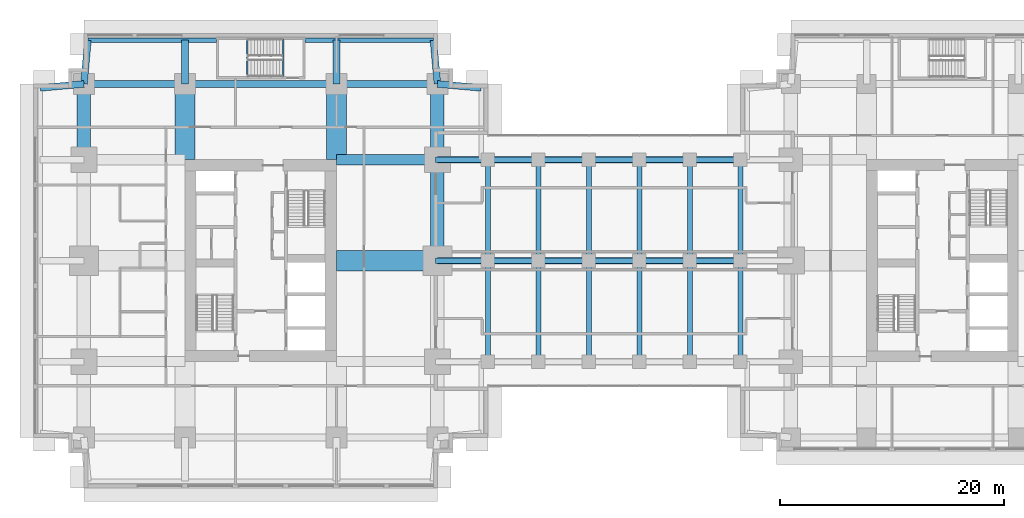
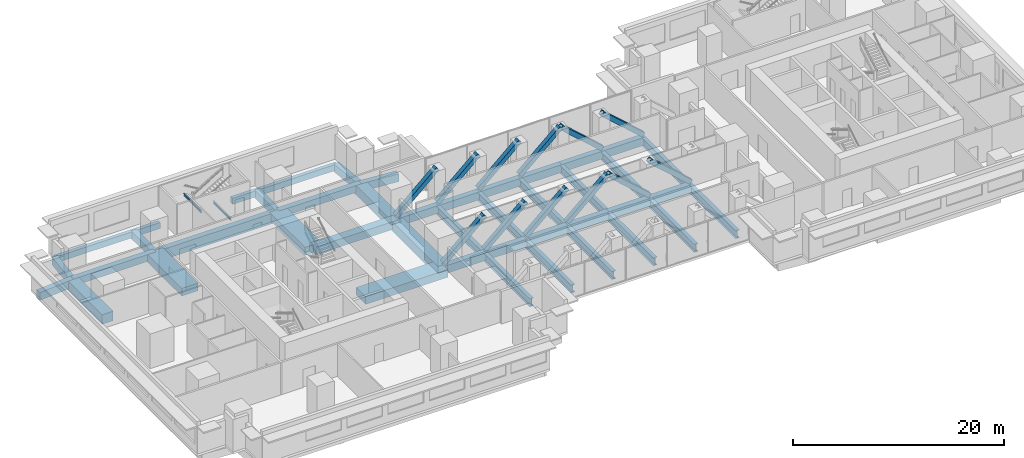
# One storey, part 3 of 16: 44 beams, 12 members.
"""IFC4 building model written with IfcOpenShell, lengths in metres."""

from ifc_helpers import new_model, si_unit, direction, frame, origin, origin_2d, place, context, subcontext, project, spatial, rectangle, hollow_rectangle, i_section, extrude, material, material_profile, profile_set, type_object, element, save


model = new_model("IFC4")

# Units and contexts
model_context = context("Model", 3, precision=1e-05, world=origin(), true_north=direction((0.0, 1.0)))
body_context = subcontext(model_context, "Body", "Model", "MODEL_VIEW")
ifc_project = project(units=[si_unit("LENGTHUNIT", "METRE"), si_unit("AREAUNIT", "SQUARE_METRE"), si_unit("VOLUMEUNIT", "CUBIC_METRE"), si_unit("PLANEANGLEUNIT", "RADIAN"), si_unit("MASSUNIT", "GRAM", prefix="KILO")], contexts=[model_context])

# Site, building, storey
site_placement = place(None, origin())
site = spatial("IfcSite", under=ifc_project, at=site_placement, CompositionType="ELEMENT")
building_placement = place(site_placement, origin())
building = spatial("IfcBuilding", under=site, at=building_placement, Name="Namib Vertical Campus", CompositionType="ELEMENT")
storey_placement = place(building_placement, frame((0.0, 0.0, 125.0)))
storey = spatial("IfcBuildingStorey", under=building, at=storey_placement, Name="L29", CompositionType="ELEMENT", Elevation=125.0)

# Members
ifc_material_1 = material(Name="Steel S355JR", Category="steel")
ifc_material_profile_1 = material_profile(ifc_material_1, hollow_rectangle(XDim=0.5, YDim=0.5, WallThickness=0.031982421875, at=origin_2d()))
ifc_profile_set_1 = profile_set([ifc_material_profile_1], Name="Steel S355JR")
member_type = type_object("IfcMemberType", Name="Bridge end brace WB 500x500x32", PredefinedType="BRACE", material=ifc_profile_set_1)
for number, where, z_axis, x_axis, name in (
    (1, (36.0, 20.25, 0.0), (0.747409318684, 0.0, 0.66436383883), (0.0, 1.0, 0.0), "Bridge brace BX1 L29 T2 bay 1"),
    (2, (40.5, 20.25, 0.0), (0.747409318684, 0.0, 0.66436383883), (0.0, 1.0, 0.0), "Bridge brace BX1 L29 T2 bay 2"),
    (3, (45.0, 20.25, 0.0), (0.747409318684, 0.0, 0.66436383883), (0.0, 1.0, 0.0), "Bridge brace BX1 L29 T2 bay 3"),
    (4, (49.5, 20.25, 0.0), (0.747409318684, 0.0, 0.66436383883), (0.0, 1.0, 0.0), "Bridge brace BX1 L29 T2 bay 4"),
    (5, (58.5, 20.25, 0.0), (-0.747409318684, 0.0, 0.66436383883), (0.0, -1.0, 0.0), "Bridge brace BX1 L29 T2 bay 5"),
    (6, (63.0, 20.25, 0.0), (-0.747409318684, 0.0, 0.66436383883), (0.0, -1.0, 0.0), "Bridge brace BX1 L29 T2 bay 6"),
    (7, (36.0, 29.25, 0.0), (0.747409318684, 0.0, 0.66436383883), (0.0, 1.0, 0.0), "Bridge brace BX1 L29 T3 bay 1"),
    (8, (40.5, 29.25, 0.0), (0.747409318684, 0.0, 0.66436383883), (0.0, 1.0, 0.0), "Bridge brace BX1 L29 T3 bay 2"),
    (9, (45.0, 29.25, 0.0), (0.747409318684, 0.0, 0.66436383883), (0.0, 1.0, 0.0), "Bridge brace BX1 L29 T3 bay 3"),
    (10, (49.5, 29.25, 0.0), (0.747409318684, 0.0, 0.66436383883), (0.0, 1.0, 0.0), "Bridge brace BX1 L29 T3 bay 4"),
    (11, (58.5, 29.25, 0.0), (-0.747409318684, 0.0, 0.66436383883), (0.0, -1.0, 0.0), "Bridge brace BX1 L29 T3 bay 5"),
    (12, (63.0, 29.25, 0.0), (-0.747409318684, 0.0, 0.66436383883), (0.0, -1.0, 0.0), "Bridge brace BX1 L29 T3 bay 6"),
):
    element("IfcMember", number, at=place(storey_placement, frame(where, z_axis=z_axis, x_axis=x_axis)), inside=storey, type_object=member_type, Name=name, PredefinedType="BRACE", context=body_context, shape_type="SweptSolid", body=[
        extrude(hollow_rectangle(XDim=0.5, YDim=0.5, WallThickness=0.031982421875, at=origin_2d()), origin(), (0.0, 0.0, 1.0), 6.020751953125),
    ])

# Beams
ifc_material_2 = material(Name="Steel S355JR", Category="steel")
ifc_material_profile_2 = material_profile(ifc_material_2, i_section(OverallWidth=0.42041015625, OverallDepth=0.92041015625, WebThickness=0.021484375, FlangeThickness=0.03662109375, FilletRadius=0.024169921875, at=origin_2d()))
ifc_profile_set_2 = profile_set([ifc_material_profile_2], Name="Steel S355JR")
beam_type_1 = type_object("IfcBeamType", Name="Bridge floor beam UB 914x419x388", PredefinedType="BEAM", material=ifc_profile_set_2)
for number, where, z_axis, x_axis, name in (
    (13, (40.5, 11.25, -0.710205078125), (0.0, 1.0, 0.0), (-1.0, 0.0, 0.0), "Bridge beam BB1 L29"),
    (14, (40.5, 20.25, -0.710205078125), (0.0, 1.0, 0.0), (-1.0, 0.0, 0.0), "Bridge beam BB1 L29"),
    (15, (45.0, 11.25, -0.710205078125), (0.0, 1.0, 0.0), (-1.0, 0.0, 0.0), "Bridge beam BB1 L29"),
    (16, (45.0, 20.25, -0.710205078125), (0.0, 1.0, 0.0), (-1.0, 0.0, 0.0), "Bridge beam BB1 L29"),
    (17, (49.5, 11.25, -0.710205078125), (0.0, 1.0, 0.0), (-1.0, 0.0, 0.0), "Bridge beam BB1 L29"),
    (18, (49.5, 20.25, -0.710205078125), (0.0, 1.0, 0.0), (-1.0, 0.0, 0.0), "Bridge beam BB1 L29"),
    (19, (54.0, 11.25, -0.710205078125), (0.0, 1.0, 0.0), (-1.0, 0.0, 0.0), "Bridge beam BB1 L29"),
    (20, (54.0, 20.25, -0.710205078125), (0.0, 1.0, 0.0), (-1.0, 0.0, 0.0), "Bridge beam BB1 L29"),
    (21, (58.5, 11.25, -0.710205078125), (0.0, 1.0, 0.0), (-1.0, 0.0, 0.0), "Bridge beam BB1 L29"),
    (22, (58.5, 20.25, -0.710205078125), (0.0, 1.0, 0.0), (-1.0, 0.0, 0.0), "Bridge beam BB1 L29"),
    (23, (63.0, 11.25, -0.710205078125), (0.0, 1.0, 0.0), (-1.0, 0.0, 0.0), "Bridge beam BB1 L29"),
    (24, (63.0, 20.25, -0.710205078125), (0.0, 1.0, 0.0), (-1.0, 0.0, 0.0), "Bridge beam BB1 L29"),
):
    element("IfcBeam", number, at=place(storey_placement, frame(where, z_axis=z_axis, x_axis=x_axis)), inside=storey, type_object=beam_type_1, Name=name, PredefinedType="BEAM", context=body_context, shape_type="SweptSolid", body=[
        extrude(i_section(OverallWidth=0.42041015625, OverallDepth=0.92041015625, WebThickness=0.021484375, FlangeThickness=0.03662109375, FilletRadius=0.024169921875, at=origin_2d()), origin(), (0.0, 0.0, 1.0), 9.0),
    ])
ifc_material_3 = material(Name="Steel S355JR", Category="steel")
ifc_material_profile_3 = material_profile(ifc_material_3, hollow_rectangle(XDim=0.60009765625, YDim=0.89990234375, WallThickness=0.050048828125, at=origin_2d()))
ifc_profile_set_3 = profile_set([ifc_material_profile_3], Name="Steel S355JR")
beam_type_2 = type_object("IfcBeamType", Name="Bridge girder WB 900x600x50", PredefinedType="BEAM", material=ifc_profile_set_3)
for number, where, z_axis, x_axis, name in (
    (25, (36.0, 20.25, -0.699951171875), (1.0, 0.0, 0.0), (0.0, 1.0, 0.0), "Bridge girder BG1 L29"),
    (26, (40.5, 20.25, -0.699951171875), (1.0, 0.0, 0.0), (0.0, 1.0, 0.0), "Bridge girder BG1 L29"),
    (27, (45.0, 20.25, -0.699951171875), (1.0, 0.0, 0.0), (0.0, 1.0, 0.0), "Bridge girder BG1 L29"),
    (28, (49.5, 20.25, -0.699951171875), (1.0, 0.0, 0.0), (0.0, 1.0, 0.0), "Bridge girder BG1 L29"),
    (29, (54.0, 20.25, -0.699951171875), (1.0, 0.0, 0.0), (0.0, 1.0, 0.0), "Bridge girder BG1 L29"),
    (30, (58.5, 20.25, -0.699951171875), (1.0, 0.0, 0.0), (0.0, 1.0, 0.0), "Bridge girder BG1 L29"),
    (31, (36.0, 29.25, -0.699951171875), (1.0, 0.0, 0.0), (0.0, 1.0, 0.0), "Bridge girder BG1 L29"),
    (32, (40.5, 29.25, -0.699951171875), (1.0, 0.0, 0.0), (0.0, 1.0, 0.0), "Bridge girder BG1 L29"),
    (33, (45.0, 29.25, -0.699951171875), (1.0, 0.0, 0.0), (0.0, 1.0, 0.0), "Bridge girder BG1 L29"),
    (34, (49.5, 29.25, -0.699951171875), (1.0, 0.0, 0.0), (0.0, 1.0, 0.0), "Bridge girder BG1 L29"),
    (35, (54.0, 29.25, -0.699951171875), (1.0, 0.0, 0.0), (0.0, 1.0, 0.0), "Bridge girder BG1 L29"),
    (36, (58.5, 29.25, -0.699951171875), (1.0, 0.0, 0.0), (0.0, 1.0, 0.0), "Bridge girder BG1 L29"),
):
    element("IfcBeam", number, at=place(storey_placement, frame(where, z_axis=z_axis, x_axis=x_axis)), inside=storey, type_object=beam_type_2, Name=name, PredefinedType="BEAM", context=body_context, shape_type="SweptSolid", body=[
        extrude(hollow_rectangle(XDim=0.60009765625, YDim=0.89990234375, WallThickness=0.050048828125, at=origin_2d()), origin(), (0.0, 0.0, 1.0), 4.5),
    ])
ifc_material_4 = material(Name="Concrete C40/50", Category="concrete")
ifc_material_profile_4 = material_profile(ifc_material_4, rectangle(XDim=0.60009765625, YDim=0.89990234375, at=origin_2d()))
ifc_profile_set_4 = profile_set([ifc_material_profile_4], Name="Concrete C40/50")
beam_type_3 = type_object("IfcBeamType", Name="Cantilever girder RC 600x900", PredefinedType="BEAM", material=ifc_profile_set_4)
beam_1_placement = place(storey_placement, frame((4.5, 36.0, -0.699951171875), z_axis=(0.089411326146, 0.995994786511, 0.0), x_axis=(-0.995994786511, 0.089411326146, 0.0)))
element("IfcBeam", 37, at=beam_1_placement, inside=storey, type_object=beam_type_3, Name="Beam B3 L29", PredefinedType="BEAM", context=body_context, shape_type="SweptSolid", body=[
    extrude(rectangle(XDim=0.60009765625, YDim=0.89990234375, at=origin_2d()), origin(), (0.0, 0.0, 1.0), 3.91552734375),
])
for number, where, z_axis, x_axis, name in (
    (38, (13.5, 36.0, -0.699951171875), (0.0, 1.0, 0.0), (-1.0, 0.0, 0.0), "Beam B3 L29"),
    (39, (27.0, 36.0, -0.699951171875), (0.0, 1.0, 0.0), (-1.0, 0.0, 0.0), "Beam B3 L29"),
):
    element("IfcBeam", number, at=place(storey_placement, frame(where, z_axis=z_axis, x_axis=x_axis)), inside=storey, type_object=beam_type_3, Name=name, PredefinedType="BEAM", context=body_context, shape_type="SweptSolid", body=[
        extrude(rectangle(XDim=0.60009765625, YDim=0.89990234375, at=origin_2d()), origin(), (0.0, 0.0, 1.0), 3.89990234375),
    ])
for number, where, z_axis, x_axis, name in (
    (40, (36.0, 36.0, -0.699951171875), (-0.089411326146, 0.995994786511, 0.0), (-0.995994786511, -0.089411326146, 0.0), "Beam B3 L29"),
    (41, (4.5, 36.0, -0.699951171875), (-0.995994786511, -0.089411326146, 0.0), (0.089411326146, -0.995994786511, 0.0), "Beam B3 L29"),
    (42, (36.0, 36.0, -0.699951171875), (0.995994786511, -0.089411326146, 0.0), (0.089411326146, 0.995994786511, 0.0), "Beam B3 L29"),
):
    element("IfcBeam", number, at=place(storey_placement, frame(where, z_axis=z_axis, x_axis=x_axis)), inside=storey, type_object=beam_type_3, Name=name, PredefinedType="BEAM", context=body_context, shape_type="SweptSolid", body=[
        extrude(rectangle(XDim=0.60009765625, YDim=0.89990234375, at=origin_2d()), origin(), (0.0, 0.0, 1.0), 3.91552734375),
    ])
ifc_material_5 = material(Name="Concrete C40/50", Category="concrete")
ifc_material_profile_5 = material_profile(ifc_material_5, rectangle(XDim=0.39990234375, YDim=0.699951171875, at=origin_2d()))
ifc_profile_set_5 = profile_set([ifc_material_profile_5], Name="Concrete C40/50")
beam_type_4 = type_object("IfcBeamType", Name="Edge beam RC 400x700", PredefinedType="SPANDREL", material=ifc_profile_set_5)
for number, where, z_axis, x_axis, name in (
    (43, (4.85009765625, 39.89990234375, -0.60009765625), (1.0, 0.0, 0.0), (0.0, 1.0, 0.0), "Beam B4 L29"),
    (44, (24.199951171875, 39.89990234375, -0.60009765625), (1.0, 0.0, 0.0), (0.0, 1.0, 0.0), "Beam B4 L29"),
):
    element("IfcBeam", number, at=place(storey_placement, frame(where, z_axis=z_axis, x_axis=x_axis)), inside=storey, type_object=beam_type_4, Name=name, PredefinedType="SPANDREL", context=body_context, shape_type="SweptSolid", body=[
        extrude(rectangle(XDim=0.39990234375, YDim=0.699951171875, at=origin_2d()), origin(), (0.0, 0.0, 1.0), 11.449951171875),
    ])
ifc_material_6 = material(Name="Concrete C40/50", Category="concrete")
ifc_material_profile_6 = material_profile(ifc_material_6, rectangle(XDim=0.89990234375, YDim=0.89990234375, at=origin_2d()))
ifc_profile_set_6 = profile_set([ifc_material_profile_6], Name="Concrete C40/50")
beam_type_5 = type_object("IfcBeamType", Name="Face girder RC 900x900", PredefinedType="BEAM", material=ifc_profile_set_6)
beam_2_placement = place(storey_placement, frame((36.0, 29.25, -0.699951171875), z_axis=(-1.0, 0.0, 0.0), x_axis=(0.0, -1.0, 0.0)))
element("IfcBeam", 45, at=beam_2_placement, inside=storey, type_object=beam_type_5, Name="Beam B10 L29", PredefinedType="BEAM", context=body_context, shape_type="SweptSolid", body=[
    extrude(rectangle(XDim=0.89990234375, YDim=0.89990234375, at=origin_2d()), origin(), (0.0, 0.0, 1.0), 9.0),
])
ifc_material_7 = material(Name="Concrete C40/50", Category="concrete")
ifc_material_profile_7 = material_profile(ifc_material_7, rectangle(XDim=1.199951171875, YDim=1.10009765625, at=origin_2d()))
ifc_profile_set_7 = profile_set([ifc_material_profile_7], Name="Concrete C40/50")
beam_type_6 = type_object("IfcBeamType", Name="Face ring beam RC 1200x1100", PredefinedType="BEAM", material=ifc_profile_set_7)
beam_3_placement = place(storey_placement, frame((4.5, 29.25, -0.800048828125), z_axis=(0.0, 1.0, 0.0), x_axis=(-1.0, 0.0, 0.0)))
element("IfcBeam", 46, at=beam_3_placement, inside=storey, type_object=beam_type_6, Name="Beam B11 L29", PredefinedType="BEAM", context=body_context, shape_type="SweptSolid", body=[
    extrude(rectangle(XDim=1.199951171875, YDim=1.10009765625, at=origin_2d()), origin(), (0.0, 0.0, 1.0), 6.75),
])
beam_4_placement = place(storey_placement, frame((36.0, 20.25, -0.800048828125), z_axis=(0.0, 1.0, 0.0), x_axis=(-1.0, 0.0, 0.0)))
element("IfcBeam", 47, at=beam_4_placement, inside=storey, type_object=beam_type_6, Name="Beam B11 L29", PredefinedType="BEAM", context=body_context, shape_type="SweptSolid", body=[
    extrude(rectangle(XDim=1.199951171875, YDim=1.10009765625, at=origin_2d()), origin(), (0.0, 0.0, 1.0), 9.0),
])
beam_5_placement = place(storey_placement, frame((36.0, 29.25, -0.800048828125), z_axis=(0.0, 1.0, 0.0), x_axis=(-1.0, 0.0, 0.0)))
element("IfcBeam", 48, at=beam_5_placement, inside=storey, type_object=beam_type_6, Name="Beam B11 L29", PredefinedType="BEAM", context=body_context, shape_type="SweptSolid", body=[
    extrude(rectangle(XDim=1.199951171875, YDim=1.10009765625, at=origin_2d()), origin(), (0.0, 0.0, 1.0), 6.75),
])
ifc_material_8 = material(Name="Steel S355JR", Category="steel")
ifc_material_profile_8 = material_profile(ifc_material_8, i_section(OverallWidth=0.14599609375, OverallDepth=0.25146484375, WebThickness=0.006103515625, FlangeThickness=0.008544921875, FilletRadius=0.007568359375, at=origin_2d()))
ifc_profile_set_8 = profile_set([ifc_material_profile_8], Name="Steel S355JR")
beam_type_7 = type_object("IfcBeamType", Name="Landing trimmer UB 254x146x31", PredefinedType="BEAM", material=ifc_profile_set_8)
for number, where, z_axis, x_axis, name in (
    (49, (22.27294921875, 36.64990234375, -0.125732421875), (0.0, 1.0, 0.0), (-1.0, 0.0, 0.0), "Landing trimmer LT1 A-S3 L29 1"),
    (50, (19.046875, 36.64990234375, 1.874267578125), (0.0, 1.0, 0.0), (-1.0, 0.0, 0.0), "Landing trimmer LT1 A-S3 L29 2"),
):
    element("IfcBeam", number, at=place(storey_placement, frame(where, z_axis=z_axis, x_axis=x_axis)), inside=storey, type_object=beam_type_7, Name=name, PredefinedType="BEAM", context=body_context, shape_type="SweptSolid", body=[
        extrude(i_section(OverallWidth=0.14599609375, OverallDepth=0.25146484375, WebThickness=0.006103515625, FlangeThickness=0.008544921875, FilletRadius=0.007568359375, at=origin_2d()), origin(), (0.0, 0.0, 1.0), 3.35009765625),
    ])
ifc_material_9 = material(Name="Concrete C40/50", Category="concrete")
ifc_material_profile_9 = material_profile(ifc_material_9, rectangle(XDim=0.60009765625, YDim=1.199951171875, at=origin_2d()))
ifc_profile_set_9 = profile_set([ifc_material_profile_9], Name="Concrete C40/50")
beam_type_8 = type_object("IfcBeamType", Name="Long-span ring beam RC 600x1200", PredefinedType="BEAM", material=ifc_profile_set_9)
beam_6_placement = place(storey_placement, frame((13.5, 36.0, -0.85009765625), z_axis=(1.0, 0.0, 0.0), x_axis=(0.0, 1.0, 0.0)))
element("IfcBeam", 51, at=beam_6_placement, inside=storey, type_object=beam_type_8, Name="Beam B9 L29", PredefinedType="BEAM", context=body_context, shape_type="SweptSolid", body=[
    extrude(rectangle(XDim=0.60009765625, YDim=1.199951171875, at=origin_2d()), origin(), (0.0, 0.0, 1.0), 13.5),
])
ifc_material_10 = material(Name="Concrete C40/50", Category="concrete")
ifc_material_profile_10 = material_profile(ifc_material_10, rectangle(XDim=1.800048828125, YDim=0.89990234375, at=origin_2d()))
ifc_profile_set_10 = profile_set([ifc_material_profile_10], Name="Concrete C40/50")
beam_type_9 = type_object("IfcBeamType", Name="Outrigger line girder RC 1800x900", PredefinedType="BEAM", material=ifc_profile_set_10)
for number, where, z_axis, x_axis, name in (
    (52, (13.5, 36.0, -0.699951171875), (0.0, -1.0, 0.0), (1.0, 0.0, 0.0), "Beam B12 L29"),
    (53, (27.0, 36.0, -0.699951171875), (0.0, -1.0, 0.0), (1.0, 0.0, 0.0), "Beam B12 L29"),
):
    element("IfcBeam", number, at=place(storey_placement, frame(where, z_axis=z_axis, x_axis=x_axis)), inside=storey, type_object=beam_type_9, Name=name, PredefinedType="BEAM", context=body_context, shape_type="SweptSolid", body=[
        extrude(rectangle(XDim=1.800048828125, YDim=0.89990234375, at=origin_2d()), origin(), (0.0, 0.0, 1.0), 6.75),
    ])
beam_7_placement = place(storey_placement, frame((36.0, 20.25, -0.699951171875), z_axis=(-1.0, 0.0, 0.0), x_axis=(0.0, -1.0, 0.0)))
element("IfcBeam", 54, at=beam_7_placement, inside=storey, type_object=beam_type_9, Name="Beam B12 L29", PredefinedType="BEAM", context=body_context, shape_type="SweptSolid", body=[
    extrude(rectangle(XDim=1.800048828125, YDim=0.89990234375, at=origin_2d()), origin(), (0.0, 0.0, 1.0), 9.0),
])
ifc_material_11 = material(Name="Concrete C40/50", Category="concrete")
ifc_material_profile_11 = material_profile(ifc_material_11, rectangle(XDim=0.60009765625, YDim=0.800048828125, at=origin_2d()))
ifc_profile_set_11 = profile_set([ifc_material_profile_11], Name="Concrete C40/50")
beam_type_10 = type_object("IfcBeamType", Name="Ring beam RC 600x800", PredefinedType="BEAM", material=ifc_profile_set_11)
for number, where, z_axis, x_axis, name in (
    (55, (4.5, 36.0, -0.64990234375), (1.0, 0.0, 0.0), (0.0, 1.0, 0.0), "Beam B1 L29"),
    (56, (27.0, 36.0, -0.64990234375), (1.0, 0.0, 0.0), (0.0, 1.0, 0.0), "Beam B1 L29"),
):
    element("IfcBeam", number, at=place(storey_placement, frame(where, z_axis=z_axis, x_axis=x_axis)), inside=storey, type_object=beam_type_10, Name=name, PredefinedType="BEAM", context=body_context, shape_type="SweptSolid", body=[
        extrude(rectangle(XDim=0.60009765625, YDim=0.800048828125, at=origin_2d()), origin(), (0.0, 0.0, 1.0), 9.0),
    ])

save(model, "model.ifc")
